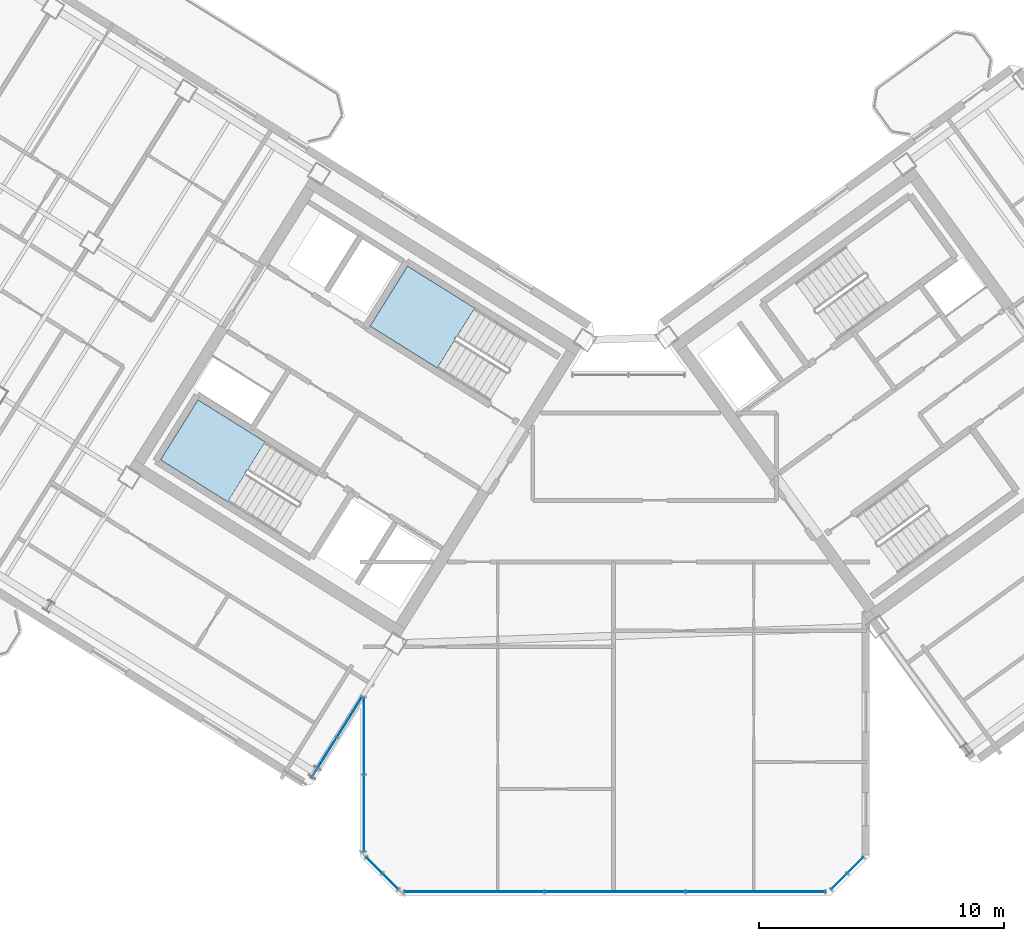
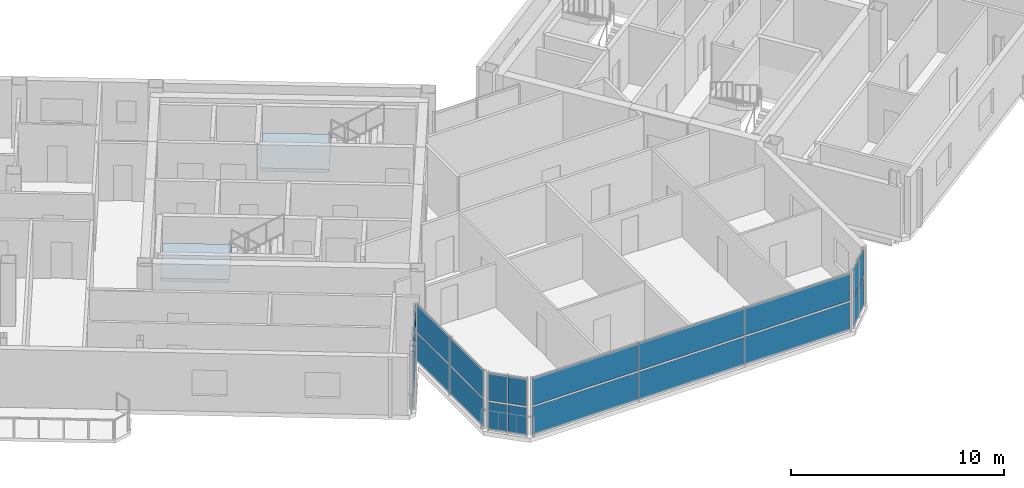
# One storey, part 14 of 25: 22 plates, 2 slabs, 7 elements without a shape of their own.
"""IFC4 building model written with IfcOpenShell, lengths in metres."""

from ifc_helpers import new_model, si_unit, direction, frame, origin, origin_2d, place, context, subcontext, project, spatial, polyline, rectangle, outline, extrude, source, transform, mapped, material, layer, layer_set, type_object, element, aggregate, save


model = new_model("IFC4")

# Units and contexts
model_context = context("Model", 3, precision=1e-05, world=origin(), true_north=direction((0.0, 1.0)))
body_context = subcontext(model_context, "Body", "Model", "MODEL_VIEW")
ifc_project = project(units=[si_unit("LENGTHUNIT", "METRE"), si_unit("AREAUNIT", "SQUARE_METRE"), si_unit("VOLUMEUNIT", "CUBIC_METRE"), si_unit("PLANEANGLEUNIT", "RADIAN"), si_unit("MASSUNIT", "GRAM", prefix="KILO")], contexts=[model_context])

# Site, building, storey
site_placement = place(None, origin())
site = spatial("IfcSite", under=ifc_project, at=site_placement, CompositionType="ELEMENT")
building_placement = place(site_placement, origin())
building = spatial("IfcBuilding", under=site, at=building_placement, Name="Tlacorven Tower", CompositionType="ELEMENT")
storey_placement = place(building_placement, frame((0.0, 0.0, 251.10009765625)))
storey = spatial("IfcBuildingStorey", under=building, at=storey_placement, Name="L63", CompositionType="ELEMENT", Elevation=251.10009765625)

# Stair, slab
ifc_material_1 = material(Name="Concrete C40/50", Category="concrete")
stair_type = type_object("IfcStairType", Name="ST-CORE-DLG", PredefinedType="HALF_TURN_STAIR", material=ifc_material_1)
stair_1_placement = place(storey_placement, origin())
stair_1 = element("IfcStair", 1, at=stair_1_placement, inside=storey, type_object=stair_type, Name="L63 Protected Exit Stair West 1", PredefinedType="HALF_TURN_STAIR")
ifc_layer_1 = layer(ifc_material_1, 0.199951171875)
ifc_layer_set_1 = layer_set([ifc_layer_1], Name="Concrete C40/50")
slab_type = type_object("IfcSlabType", Name="SL-LND-200", PredefinedType="LANDING", material=ifc_layer_set_1)
slab_1_placement = place(storey_placement, frame((0.0, 0.0, 1.599853515625)))
slab_1 = element("IfcSlab", 2, at=slab_1_placement, type_object=slab_type, Name="ST-W1 landing 1", PredefinedType="LANDING", context=body_context, shape_type="SweptSolid", body=[
    extrude(outline(polyline([(27.728515625, 20.315185546875), (24.9892578125, 22.02685546875), (23.463134765625, 19.58447265625), (26.2021484375, 17.872802734375), (27.728515625, 20.315185546875)])), origin(), (0.0, 0.0, 1.0), 0.199951171875),
])
aggregate(stair_1, [slab_1])

stair_2_placement = place(storey_placement, origin())
stair_2 = element("IfcStair", 3, at=stair_2_placement, inside=storey, type_object=stair_type, Name="L63 Protected Exit Stair West 2", PredefinedType="HALF_TURN_STAIR")
slab_2_placement = place(storey_placement, frame((0.0, 0.0, 1.599853515625)))
slab_2 = element("IfcSlab", 4, at=slab_2_placement, type_object=slab_type, Name="ST-W2 landing 1", PredefinedType="LANDING", context=body_context, shape_type="SweptSolid", body=[
    extrude(outline(polyline([(36.280029296875, 25.772705078125), (33.540771484375, 27.484375), (32.0146484375, 25.0419921875), (34.75390625, 23.33056640625), (36.280029296875, 25.772705078125)])), origin(), (0.0, 0.0, 1.0), 0.199951171875),
])
aggregate(stair_2, [slab_2])

# Curtain wall, plates
ifc_material_2 = material(Name="Dark solar low-E double glazing in aluminium frame", Category="aluminium")
curtain_wall_type = type_object("IfcCurtainWallType", Name="CW-TWR-HIGH", PredefinedType="USERDEFINED", material=ifc_material_2)
curtain_wall_1_placement = place(storey_placement, origin())
curtain_wall_1 = element("IfcCurtainWall", 5, at=curtain_wall_1_placement, inside=storey, type_object=curtain_wall_type, Name="L63 CW-TWR-HIGH Curtain Wall 290", ObjectType="UNITISED CURTAIN WALL", PredefinedType="USERDEFINED")
ifc_material_3 = material(Name="High-wind dark solar tempered low-E glazing", Category="glass")
ifc_layer_2 = layer(ifc_material_3, 0.028076171875)
ifc_layer_set_2 = layer_set([ifc_layer_2], Name="High-wind dark solar tempered low-E glazing")
plate_type = type_object("IfcPlateType", Name="CWP-03", PredefinedType="CURTAIN_PANEL", material=ifc_layer_set_2)
shared_shape_1 = source(origin(), body_context, "Body", "SweptSolid", [
    extrude(rectangle(XDim=0.89306640625, YDim=0.028076171875, at=origin_2d()), origin(), (0.0, 0.0, 1.0), 1.55810546875),
])
plate_1_placement = place(storey_placement, frame((51.8173828125, 3.043701171875, 0.05078125), z_axis=(0.0, 0.0, 1.0), x_axis=(-0.707106781187, -0.707106781187, 0.0)))
plate_1 = element("IfcPlate", 6, at=plate_1_placement, type_object=plate_type, Name="CW-L63-290 Glazing Panel 1", PredefinedType="CURTAIN_PANEL", context=body_context, shape_type="MappedRepresentation", body=[
    mapped(shared_shape_1, transform((0.0, 0.0, 0.0), scale=1.0)),
])
plate_2_placement = place(storey_placement, frame((51.8173828125, 3.043701171875, 1.7109375), z_axis=(0.0, 0.0, 1.0), x_axis=(-0.707106781187, -0.707106781187, 0.0)))
plate_2 = element("IfcPlate", 7, at=plate_2_placement, type_object=plate_type, Name="CW-L63-290 Glazing Panel 2", PredefinedType="CURTAIN_PANEL", context=body_context, shape_type="MappedRepresentation", body=[
    mapped(shared_shape_1, transform((0.0, 0.0, 0.0), scale=1.0)),
])
plate_3_placement = place(storey_placement, frame((51.15625, 2.382568359375, 0.05078125), z_axis=(0.0, 0.0, 1.0), x_axis=(-0.707106781187, -0.707106781187, 0.0)))
plate_3 = element("IfcPlate", 8, at=plate_3_placement, type_object=plate_type, Name="CW-L63-290 Glazing Panel 3", PredefinedType="CURTAIN_PANEL", context=body_context, shape_type="MappedRepresentation", body=[
    mapped(shared_shape_1, transform((0.0, 0.0, 0.0), scale=1.0)),
])
plate_4_placement = place(storey_placement, frame((51.15625, 2.382568359375, 1.7109375), z_axis=(0.0, 0.0, 1.0), x_axis=(-0.707106781187, -0.707106781187, 0.0)))
plate_4 = element("IfcPlate", 9, at=plate_4_placement, type_object=plate_type, Name="CW-L63-290 Glazing Panel 4", PredefinedType="CURTAIN_PANEL", context=body_context, shape_type="MappedRepresentation", body=[
    mapped(shared_shape_1, transform((0.0, 0.0, 0.0), scale=1.0)),
])
aggregate(curtain_wall_1, [plate_1, plate_2, plate_3, plate_4])

curtain_wall_2_placement = place(storey_placement, origin())
curtain_wall_2 = element("IfcCurtainWall", 10, at=curtain_wall_2_placement, inside=storey, type_object=curtain_wall_type, Name="L63 CW-TWR-HIGH Curtain Wall 292", ObjectType="UNITISED CURTAIN WALL", PredefinedType="USERDEFINED")
plate_5_placement = place(storey_placement, frame((32.84375, 2.382568359375, 0.05078125), z_axis=(0.0, 0.0, 1.0), x_axis=(-0.707106781187, 0.707106781187, 0.0)))
plate_5 = element("IfcPlate", 11, at=plate_5_placement, type_object=plate_type, Name="CW-L63-292 Glazing Panel 1", PredefinedType="CURTAIN_PANEL", context=body_context, shape_type="MappedRepresentation", body=[
    mapped(shared_shape_1, transform((0.0, 0.0, 0.0), scale=1.0)),
])
plate_6_placement = place(storey_placement, frame((32.84375, 2.382568359375, 1.7109375), z_axis=(0.0, 0.0, 1.0), x_axis=(-0.707106781187, 0.707106781187, 0.0)))
plate_6 = element("IfcPlate", 12, at=plate_6_placement, type_object=plate_type, Name="CW-L63-292 Glazing Panel 2", PredefinedType="CURTAIN_PANEL", context=body_context, shape_type="MappedRepresentation", body=[
    mapped(shared_shape_1, transform((0.0, 0.0, 0.0), scale=1.0)),
])
plate_7_placement = place(storey_placement, frame((32.1826171875, 3.043701171875, 0.05078125), z_axis=(0.0, 0.0, 1.0), x_axis=(-0.707106781187, 0.707106781187, 0.0)))
plate_7 = element("IfcPlate", 13, at=plate_7_placement, type_object=plate_type, Name="CW-L63-292 Glazing Panel 3", PredefinedType="CURTAIN_PANEL", context=body_context, shape_type="MappedRepresentation", body=[
    mapped(shared_shape_1, transform((0.0, 0.0, 0.0), scale=1.0)),
])
plate_8_placement = place(storey_placement, frame((32.1826171875, 3.043701171875, 1.7109375), z_axis=(0.0, 0.0, 1.0), x_axis=(-0.707106781187, 0.707106781187, 0.0)))
plate_8 = element("IfcPlate", 14, at=plate_8_placement, type_object=plate_type, Name="CW-L63-292 Glazing Panel 4", PredefinedType="CURTAIN_PANEL", context=body_context, shape_type="MappedRepresentation", body=[
    mapped(shared_shape_1, transform((0.0, 0.0, 0.0), scale=1.0)),
])
aggregate(curtain_wall_2, [plate_5, plate_6, plate_7, plate_8])

curtain_wall_3_placement = place(storey_placement, origin())
curtain_wall_3 = element("IfcCurtainWall", 15, at=curtain_wall_3_placement, inside=storey, type_object=curtain_wall_type, Name="L63 CW-TWR-HIGH Curtain Wall 291", ObjectType="UNITISED CURTAIN WALL", PredefinedType="USERDEFINED")
shared_shape_2 = source(origin(), body_context, "Body", "SweptSolid", [
    extrude(rectangle(XDim=5.683837890625, YDim=0.028076171875, at=origin_2d()), origin(), (0.0, 0.0, 1.0), 1.55810546875),
])
plate_9_placement = place(storey_placement, frame((47.74072265625, 1.9599609375, 0.05078125), z_axis=(0.0, 0.0, 1.0), x_axis=(-1.0, 0.0, 0.0)))
plate_9 = element("IfcPlate", 16, at=plate_9_placement, type_object=plate_type, Name="CW-L63-291 Glazing Panel 1", PredefinedType="CURTAIN_PANEL", context=body_context, shape_type="MappedRepresentation", body=[
    mapped(shared_shape_2, transform((0.0, 0.0, 0.0), scale=1.0)),
])
plate_10_placement = place(storey_placement, frame((47.74072265625, 1.9599609375, 1.7109375), z_axis=(0.0, 0.0, 1.0), x_axis=(-1.0, 0.0, 0.0)))
plate_10 = element("IfcPlate", 17, at=plate_10_placement, type_object=plate_type, Name="CW-L63-291 Glazing Panel 2", PredefinedType="CURTAIN_PANEL", context=body_context, shape_type="MappedRepresentation", body=[
    mapped(shared_shape_2, transform((0.0, 0.0, 0.0), scale=1.0)),
])
plate_11_placement = place(storey_placement, frame((36.25927734375, 1.9599609375, 0.05078125), z_axis=(0.0, 0.0, 1.0), x_axis=(-1.0, 0.0, 0.0)))
plate_11 = element("IfcPlate", 18, at=plate_11_placement, type_object=plate_type, Name="CW-L63-291 Glazing Panel 5", PredefinedType="CURTAIN_PANEL", context=body_context, shape_type="MappedRepresentation", body=[
    mapped(shared_shape_2, transform((0.0, 0.0, 0.0), scale=1.0)),
])
plate_12_placement = place(storey_placement, frame((36.25927734375, 1.9599609375, 1.7109375), z_axis=(0.0, 0.0, 1.0), x_axis=(-1.0, 0.0, 0.0)))
plate_12 = element("IfcPlate", 19, at=plate_12_placement, type_object=plate_type, Name="CW-L63-291 Glazing Panel 6", PredefinedType="CURTAIN_PANEL", context=body_context, shape_type="MappedRepresentation", body=[
    mapped(shared_shape_2, transform((0.0, 0.0, 0.0), scale=1.0)),
])
shared_shape_3 = source(origin(), body_context, "Body", "SweptSolid", [
    extrude(rectangle(XDim=5.7138671875, YDim=0.028076171875, at=origin_2d()), origin(), (0.0, 0.0, 1.0), 1.55810546875),
])
plate_13_placement = place(storey_placement, frame((42.0, 1.9599609375, 0.05078125), z_axis=(0.0, 0.0, 1.0), x_axis=(-1.0, 0.0, 0.0)))
plate_13 = element("IfcPlate", 20, at=plate_13_placement, type_object=plate_type, Name="CW-L63-291 Glazing Panel 3", PredefinedType="CURTAIN_PANEL", context=body_context, shape_type="MappedRepresentation", body=[
    mapped(shared_shape_3, transform((0.0, 0.0, 0.0), scale=1.0)),
])
plate_14_placement = place(storey_placement, frame((42.0, 1.9599609375, 1.7109375), z_axis=(0.0, 0.0, 1.0), x_axis=(-1.0, 0.0, 0.0)))
plate_14 = element("IfcPlate", 21, at=plate_14_placement, type_object=plate_type, Name="CW-L63-291 Glazing Panel 4", PredefinedType="CURTAIN_PANEL", context=body_context, shape_type="MappedRepresentation", body=[
    mapped(shared_shape_3, transform((0.0, 0.0, 0.0), scale=1.0)),
])
aggregate(curtain_wall_3, [plate_9, plate_10, plate_13, plate_14, plate_11, plate_12])

curtain_wall_4_placement = place(storey_placement, origin())
curtain_wall_4 = element("IfcCurtainWall", 22, at=curtain_wall_4_placement, inside=storey, type_object=curtain_wall_type, Name="L63 CW-TWR-HIGH Curtain Wall 293", ObjectType="UNITISED CURTAIN WALL", PredefinedType="USERDEFINED")
shared_shape_4 = source(origin(), body_context, "Body", "SweptSolid", [
    extrude(rectangle(XDim=3.109130859375, YDim=0.028076171875, at=origin_2d()), origin(), (0.0, 0.0, 1.0), 1.55810546875),
])
plate_15_placement = place(storey_placement, frame((31.760009765625, 5.171875, 0.05078125), z_axis=(0.0, 0.0, 1.0), x_axis=(0.0, 1.0, 0.0)))
plate_15 = element("IfcPlate", 23, at=plate_15_placement, type_object=plate_type, Name="CW-L63-293 Glazing Panel 1", PredefinedType="CURTAIN_PANEL", context=body_context, shape_type="MappedRepresentation", body=[
    mapped(shared_shape_4, transform((0.0, 0.0, 0.0), scale=1.0)),
])
plate_16_placement = place(storey_placement, frame((31.760009765625, 5.171875, 1.7109375), z_axis=(0.0, 0.0, 1.0), x_axis=(0.0, 1.0, 0.0)))
plate_16 = element("IfcPlate", 24, at=plate_16_placement, type_object=plate_type, Name="CW-L63-293 Glazing Panel 2", PredefinedType="CURTAIN_PANEL", context=body_context, shape_type="MappedRepresentation", body=[
    mapped(shared_shape_4, transform((0.0, 0.0, 0.0), scale=1.0)),
])
plate_17_placement = place(storey_placement, frame((31.760009765625, 8.322998046875, 0.05078125), z_axis=(0.0, 0.0, 1.0), x_axis=(0.0, 1.0, 0.0)))
plate_17 = element("IfcPlate", 25, at=plate_17_placement, type_object=plate_type, Name="CW-L63-293 Glazing Panel 3", PredefinedType="CURTAIN_PANEL", context=body_context, shape_type="MappedRepresentation", body=[
    mapped(shared_shape_4, transform((0.0, 0.0, 0.0), scale=1.0)),
])
plate_18_placement = place(storey_placement, frame((31.760009765625, 8.322998046875, 1.7109375), z_axis=(0.0, 0.0, 1.0), x_axis=(0.0, 1.0, 0.0)))
plate_18 = element("IfcPlate", 26, at=plate_18_placement, type_object=plate_type, Name="CW-L63-293 Glazing Panel 4", PredefinedType="CURTAIN_PANEL", context=body_context, shape_type="MappedRepresentation", body=[
    mapped(shared_shape_4, transform((0.0, 0.0, 0.0), scale=1.0)),
])
aggregate(curtain_wall_4, [plate_15, plate_16, plate_17, plate_18])

curtain_wall_5_placement = place(storey_placement, origin())
curtain_wall_5 = element("IfcCurtainWall", 27, at=curtain_wall_5_placement, inside=storey, type_object=curtain_wall_type, Name="L63 CW-TWR-HIGH Curtain Wall 294", ObjectType="UNITISED CURTAIN WALL", PredefinedType="USERDEFINED")
shared_shape_5 = source(origin(), body_context, "Body", "SweptSolid", [
    extrude(rectangle(XDim=1.911376953125, YDim=0.028076171875, at=origin_2d()), origin(), (0.0, 0.0, 1.0), 1.55810546875),
])
plate_19_placement = place(storey_placement, frame((31.173583984375, 9.090087890625, 0.05078125), z_axis=(0.0, 0.0, 1.0), x_axis=(-0.529918710919, -0.848048441905, 0.0)))
plate_19 = element("IfcPlate", 28, at=plate_19_placement, type_object=plate_type, Name="CW-L63-294 Glazing Panel 1", PredefinedType="CURTAIN_PANEL", context=body_context, shape_type="MappedRepresentation", body=[
    mapped(shared_shape_5, transform((0.0, 0.0, 0.0), scale=1.0)),
])
plate_20_placement = place(storey_placement, frame((31.173583984375, 9.090087890625, 1.7109375), z_axis=(0.0, 0.0, 1.0), x_axis=(-0.529918710919, -0.848048441905, 0.0)))
plate_20 = element("IfcPlate", 29, at=plate_20_placement, type_object=plate_type, Name="CW-L63-294 Glazing Panel 2", PredefinedType="CURTAIN_PANEL", context=body_context, shape_type="MappedRepresentation", body=[
    mapped(shared_shape_5, transform((0.0, 0.0, 0.0), scale=1.0)),
])
plate_21_placement = place(storey_placement, frame((30.138427734375, 7.43359375, 0.05078125), z_axis=(0.0, 0.0, 1.0), x_axis=(-0.529918710919, -0.848048441905, 0.0)))
plate_21 = element("IfcPlate", 30, at=plate_21_placement, type_object=plate_type, Name="CW-L63-294 Glazing Panel 3", PredefinedType="CURTAIN_PANEL", context=body_context, shape_type="MappedRepresentation", body=[
    mapped(shared_shape_5, transform((0.0, 0.0, 0.0), scale=1.0)),
])
plate_22_placement = place(storey_placement, frame((30.138427734375, 7.43359375, 1.7109375), z_axis=(0.0, 0.0, 1.0), x_axis=(-0.529918710919, -0.848048441905, 0.0)))
plate_22 = element("IfcPlate", 31, at=plate_22_placement, type_object=plate_type, Name="CW-L63-294 Glazing Panel 4", PredefinedType="CURTAIN_PANEL", context=body_context, shape_type="MappedRepresentation", body=[
    mapped(shared_shape_5, transform((0.0, 0.0, 0.0), scale=1.0)),
])
aggregate(curtain_wall_5, [plate_19, plate_20, plate_21, plate_22])

save(model, "model.ifc")
